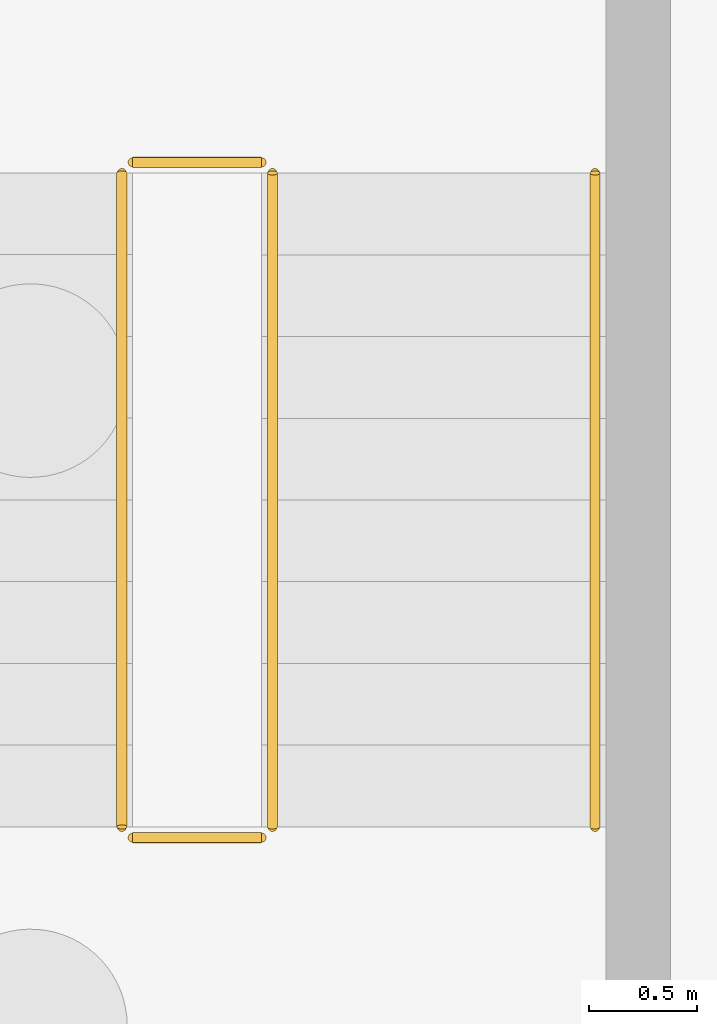
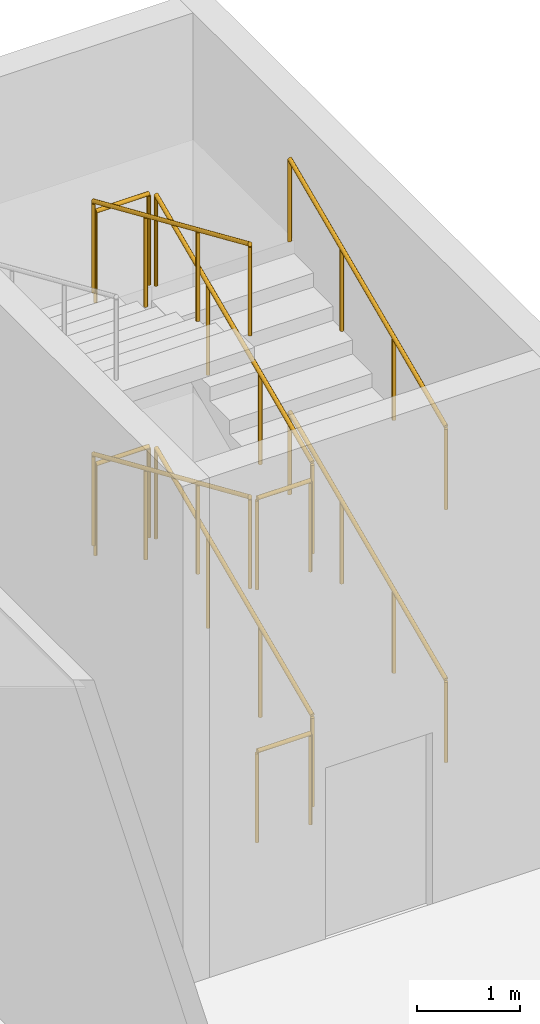
# One storey, part 64 of 66: 10 railings.
"""IFC4 building model written with IfcOpenShell, lengths in metres."""

from ifc_helpers import new_model, si_unit, direction, frame, origin, origin_2d, place, context, subcontext, project, spatial, circle, extrude, material, type_object, element, save


model = new_model("IFC4")

# Units and contexts
model_context = context("Model", 3, precision=1e-05, world=origin(), true_north=direction((0.0, 1.0)))
body_context = subcontext(model_context, "Body", "Model", "MODEL_VIEW")
ifc_project = project(units=[si_unit("LENGTHUNIT", "METRE"), si_unit("AREAUNIT", "SQUARE_METRE"), si_unit("VOLUMEUNIT", "CUBIC_METRE"), si_unit("PLANEANGLEUNIT", "RADIAN"), si_unit("MASSUNIT", "GRAM", prefix="KILO")], contexts=[model_context])

# Site, building, storey
site_placement = place(None, origin())
site = spatial("IfcSite", under=ifc_project, at=site_placement, CompositionType="ELEMENT")
building_placement = place(site_placement, origin())
building = spatial("IfcBuilding", under=site, at=building_placement, Name="Lunette Opera House", CompositionType="ELEMENT")
storey_placement = place(building_placement, frame((0.0, 0.0, -6.0)))
storey = spatial("IfcBuildingStorey", under=building, at=storey_placement, Name="B1", CompositionType="ELEMENT", Elevation=-6.0)

# Railings
ifc_material_1 = material(Name="Steel S355", Category="steel")
railing_type_1 = type_object("IfcRailingType", Name="STAIR GUARD 1100", PredefinedType="GUARDRAIL", material=ifc_material_1)
railing_1_placement = place(storey_placement, frame((181.75, 130.300048828125, 0.166748046875)))
element("IfcRailing", 1, at=railing_1_placement, inside=storey, type_object=railing_type_1, Name="B1 ST19 stair guard 1", PredefinedType="GUARDRAIL", context=body_context, shape_type="SweptSolid", body=[
    extrude(circle(Radius=0.02392578125, at=origin_2d()), frame((0.0, 0.0, 1.076171875), z_axis=(0.0, 0.915799124602, 0.401636606124), x_axis=(-1.0, 0.0, 0.0)), (0.0, 0.0, 1.0), 3.319580078125),
    extrude(circle(Radius=0.02099609375, at=origin_2d()), origin(), (0.0, 0.0, 1.0), 1.052001953125),
    extrude(circle(Radius=0.02099609375, at=origin_2d()), frame((0.0, 1.013427734375, 0.4443359375)), (0.0, 0.0, 1.0), 1.052001953125),
    extrude(circle(Radius=0.02099609375, at=origin_2d()), frame((0.0, 2.026611328125, 0.888916015625)), (0.0, 0.0, 1.0), 1.052001953125),
    extrude(circle(Radius=0.02099609375, at=origin_2d()), frame((0.0, 3.0400390625, 1.333251953125)), (0.0, 0.0, 1.0), 1.052001953125),
])
railing_2_placement = place(storey_placement, frame((181.699951171875, 133.389892578125, 1.5)))
element("IfcRailing", 2, at=railing_2_placement, inside=storey, type_object=railing_type_1, Name="B1 ST19 stair guard 2", PredefinedType="GUARDRAIL", context=body_context, shape_type="SweptSolid", body=[
    extrude(circle(Radius=0.02392578125, at=origin_2d()), frame((0.0, 0.0, 1.076171875), z_axis=(-1.0, 0.0, 0.0), x_axis=(0.0, -1.0, 0.0)), (0.0, 0.0, 1.0), 0.599853515625),
    extrude(circle(Radius=0.02099609375, at=origin_2d()), origin(), (0.0, 0.0, 1.0), 1.052001953125),
    extrude(circle(Radius=0.02099609375, at=origin_2d()), frame((-0.599853515625, 0.0, 0.0)), (0.0, 0.0, 1.0), 1.052001953125),
])
railing_3_placement = place(storey_placement, frame((181.050048828125, 133.340087890625, 1.666748046875)))
element("IfcRailing", 3, at=railing_3_placement, inside=storey, type_object=railing_type_1, Name="B1 ST19 stair guard 3", PredefinedType="GUARDRAIL", context=body_context, shape_type="SweptSolid", body=[
    extrude(circle(Radius=0.02392578125, at=origin_2d()), frame((0.0, 0.0, 1.076171875), z_axis=(0.0, -0.915799124602, 0.401636606124), x_axis=(1.0, 0.0, 0.0)), (0.0, 0.0, 1.0), 3.319580078125),
    extrude(circle(Radius=0.02099609375, at=origin_2d()), origin(), (0.0, 0.0, 1.0), 1.052001953125),
    extrude(circle(Radius=0.02099609375, at=origin_2d()), frame((0.0, -1.013427734375, 0.4443359375)), (0.0, 0.0, 1.0), 1.052001953125),
    extrude(circle(Radius=0.02099609375, at=origin_2d()), frame((0.0, -2.026611328125, 0.888916015625)), (0.0, 0.0, 1.0), 1.052001953125),
    extrude(circle(Radius=0.02099609375, at=origin_2d()), frame((0.0, -3.0400390625, 1.333251953125)), (0.0, 0.0, 1.0), 1.052001953125),
])
railing_4_placement = place(storey_placement, frame((181.699951171875, 130.25, 3.0)))
element("IfcRailing", 4, at=railing_4_placement, inside=storey, type_object=railing_type_1, Name="B1 ST19 stair guard 4", PredefinedType="GUARDRAIL", context=body_context, shape_type="SweptSolid", body=[
    extrude(circle(Radius=0.02392578125, at=origin_2d()), frame((0.0, 0.0, 1.076171875), z_axis=(-1.0, 0.0, 0.0), x_axis=(0.0, -1.0, 0.0)), (0.0, 0.0, 1.0), 0.599853515625),
    extrude(circle(Radius=0.02099609375, at=origin_2d()), origin(), (0.0, 0.0, 1.0), 1.052001953125),
    extrude(circle(Radius=0.02099609375, at=origin_2d()), frame((-0.599853515625, 0.0, 0.0)), (0.0, 0.0, 1.0), 1.052001953125),
])
railing_5_placement = place(storey_placement, frame((181.75, 130.300048828125, 3.166748046875)))
element("IfcRailing", 5, at=railing_5_placement, inside=storey, type_object=railing_type_1, Name="B1 ST19 stair guard 5", PredefinedType="GUARDRAIL", context=body_context, shape_type="SweptSolid", body=[
    extrude(circle(Radius=0.02392578125, at=origin_2d()), frame((0.0, 0.0, 1.076171875), z_axis=(0.0, 0.915799124602, 0.401636606124), x_axis=(-1.0, 0.0, 0.0)), (0.0, 0.0, 1.0), 3.319580078125),
    extrude(circle(Radius=0.02099609375, at=origin_2d()), origin(), (0.0, 0.0, 1.0), 1.052001953125),
    extrude(circle(Radius=0.02099609375, at=origin_2d()), frame((0.0, 1.013427734375, 0.4443359375)), (0.0, 0.0, 1.0), 1.052001953125),
    extrude(circle(Radius=0.02099609375, at=origin_2d()), frame((0.0, 2.026611328125, 0.888916015625)), (0.0, 0.0, 1.0), 1.052001953125),
    extrude(circle(Radius=0.02099609375, at=origin_2d()), frame((0.0, 3.0400390625, 1.333251953125)), (0.0, 0.0, 1.0), 1.052001953125),
])
railing_6_placement = place(storey_placement, frame((181.699951171875, 133.389892578125, 4.5)))
element("IfcRailing", 6, at=railing_6_placement, inside=storey, type_object=railing_type_1, Name="B1 ST19 stair guard 6", PredefinedType="GUARDRAIL", context=body_context, shape_type="SweptSolid", body=[
    extrude(circle(Radius=0.02392578125, at=origin_2d()), frame((0.0, 0.0, 1.076171875), z_axis=(-1.0, 0.0, 0.0), x_axis=(0.0, -1.0, 0.0)), (0.0, 0.0, 1.0), 0.599853515625),
    extrude(circle(Radius=0.02099609375, at=origin_2d()), origin(), (0.0, 0.0, 1.0), 1.052001953125),
    extrude(circle(Radius=0.02099609375, at=origin_2d()), frame((-0.599853515625, 0.0, 0.0)), (0.0, 0.0, 1.0), 1.052001953125),
])
railing_7_placement = place(storey_placement, frame((181.050048828125, 133.340087890625, 4.666748046875)))
element("IfcRailing", 7, at=railing_7_placement, inside=storey, type_object=railing_type_1, Name="B1 ST19 stair guard 7", PredefinedType="GUARDRAIL", context=body_context, shape_type="SweptSolid", body=[
    extrude(circle(Radius=0.02392578125, at=origin_2d()), frame((0.0, 0.0, 1.076171875), z_axis=(0.0, -0.915799124602, 0.401636606124), x_axis=(1.0, 0.0, 0.0)), (0.0, 0.0, 1.0), 3.319580078125),
    extrude(circle(Radius=0.02099609375, at=origin_2d()), origin(), (0.0, 0.0, 1.0), 1.052001953125),
    extrude(circle(Radius=0.02099609375, at=origin_2d()), frame((0.0, -1.013427734375, 0.4443359375)), (0.0, 0.0, 1.0), 1.052001953125),
    extrude(circle(Radius=0.02099609375, at=origin_2d()), frame((0.0, -2.026611328125, 0.888916015625)), (0.0, 0.0, 1.0), 1.052001953125),
    extrude(circle(Radius=0.02099609375, at=origin_2d()), frame((0.0, -3.0400390625, 1.333251953125)), (0.0, 0.0, 1.0), 1.052001953125),
])
railing_8_placement = place(storey_placement, frame((181.699951171875, 130.25, 0.0)))
element("IfcRailing", 8, at=railing_8_placement, inside=storey, type_object=railing_type_1, Name="B1 ST19 stair guard 8", PredefinedType="GUARDRAIL", context=body_context, shape_type="SweptSolid", body=[
    extrude(circle(Radius=0.02392578125, at=origin_2d()), frame((0.0, 0.0, 1.076171875), z_axis=(-1.0, 0.0, 0.0), x_axis=(0.0, -1.0, 0.0)), (0.0, 0.0, 1.0), 0.599853515625),
    extrude(circle(Radius=0.02099609375, at=origin_2d()), origin(), (0.0, 0.0, 1.0), 1.052001953125),
    extrude(circle(Radius=0.02099609375, at=origin_2d()), frame((-0.599853515625, 0.0, 0.0)), (0.0, 0.0, 1.0), 1.052001953125),
])
ifc_material_2 = material(Name="Steel S355", Category="steel")
railing_type_2 = type_object("IfcRailingType", Name="STAIR HANDRAIL 1000", PredefinedType="HANDRAIL", material=ifc_material_2)
for number, where, name in (
    (9, (183.25, 130.300048828125, 0.166748046875), "B1 ST19 stair handrail 1"),
    (10, (183.25, 130.300048828125, 3.166748046875), "B1 ST19 stair handrail 3"),
):
    element("IfcRailing", number, at=place(storey_placement, frame(where)), inside=storey, type_object=railing_type_2, Name=name, PredefinedType="HANDRAIL", context=body_context, shape_type="SweptSolid", body=[
        extrude(circle(Radius=0.02392578125, at=origin_2d()), frame((0.0, 0.0, 0.97607421875), z_axis=(0.0, 0.915799124602, 0.401636606124), x_axis=(-1.0, 0.0, 0.0)), (0.0, 0.0, 1.0), 3.319580078125),
        extrude(circle(Radius=0.02099609375, at=origin_2d()), origin(), (0.0, 0.0, 1.0), 0.951904296875),
        extrude(circle(Radius=0.02099609375, at=origin_2d()), frame((0.0, 1.013427734375, 0.4443359375)), (0.0, 0.0, 1.0), 0.951904296875),
        extrude(circle(Radius=0.02099609375, at=origin_2d()), frame((0.0, 2.026611328125, 0.888916015625)), (0.0, 0.0, 1.0), 0.951904296875),
        extrude(circle(Radius=0.02099609375, at=origin_2d()), frame((0.0, 3.0400390625, 1.333251953125)), (0.0, 0.0, 1.0), 0.951904296875),
    ])

save(model, "model.ifc")
